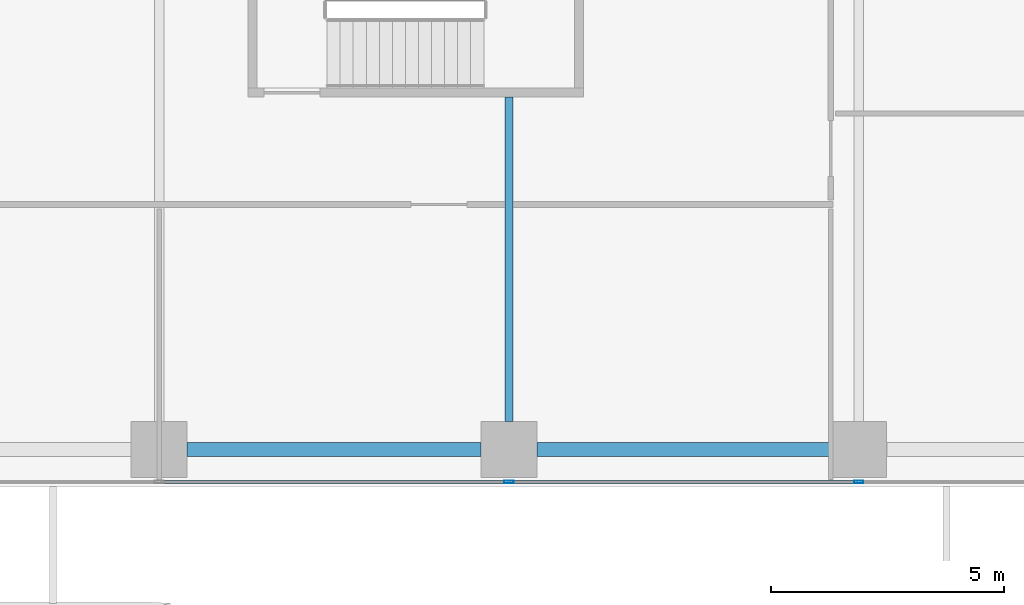
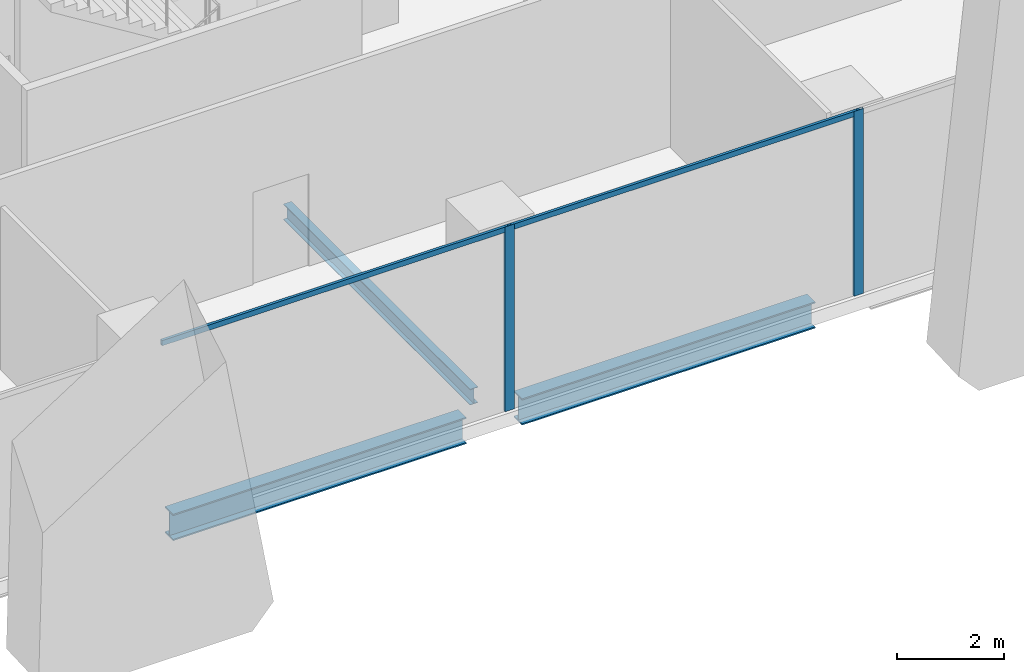
# One storey, part 3 of 35: 4 members, 3 beams, 1 element without a shape of its own.
"""IFC4 building model written with IfcOpenShell, lengths in metres."""

from ifc_helpers import new_model, si_unit, direction, frame, origin, origin_2d, place, context, subcontext, project, spatial, hollow_rectangle, i_section, extrude, source, transform, mapped, material, material_profile, profile_set, type_object, element, aggregate, save


model = new_model("IFC4")

# Units and contexts
model_context = context("Model", 3, precision=1e-05, world=origin(), true_north=direction((0.0, 1.0)))
body_context = subcontext(model_context, "Body", "Model", "MODEL_VIEW")
ifc_project = project(units=[si_unit("LENGTHUNIT", "METRE"), si_unit("AREAUNIT", "SQUARE_METRE"), si_unit("VOLUMEUNIT", "CUBIC_METRE"), si_unit("PLANEANGLEUNIT", "RADIAN"), si_unit("MASSUNIT", "GRAM", prefix="KILO")], contexts=[model_context])

# Site, building, storey
site_placement = place(None, origin())
site = spatial("IfcSite", under=ifc_project, at=site_placement, CompositionType="ELEMENT")
building_placement = place(site_placement, origin())
building = spatial("IfcBuilding", under=site, at=building_placement, Name="Khomas Fold Tower", CompositionType="ELEMENT")
storey_placement = place(building_placement, frame((0.0, 0.0, 69.0)))
storey = spatial("IfcBuildingStorey", under=building, at=storey_placement, Name="L14", CompositionType="ELEMENT", Elevation=69.0)

# Beams
ifc_material_1 = material(Name="Steel S355", Category="steel")
ifc_material_profile_1 = material_profile(ifc_material_1, i_section(OverallWidth=0.169921875, OverallDepth=0.360107421875, WebThickness=0.008056640625, FlangeThickness=0.0126953125, at=origin_2d()), Name="IPE 360")
ifc_profile_set_1 = profile_set([ifc_material_profile_1], Name="Steel S355")
beam_type_1 = type_object("IfcBeamType", Name="IPE 360 beam JB2", PredefinedType="BEAM", material=ifc_profile_set_1)
shared_shape_1 = source(origin(), body_context, "Body", "SweptSolid", [
    extrude(i_section(OverallWidth=0.169921875, OverallDepth=0.360107421875, WebThickness=0.008056640625, FlangeThickness=0.0126953125, at=origin_2d()), origin(), (0.0, 0.0, 1.0), 6.9501953125),
])
beam_placement = place(storey_placement, frame((19.5, 1.39990234375, -0.47998046875), z_axis=(0.0, 1.0, 0.0), x_axis=(-1.0, 0.0, 0.0)))
element("IfcBeam", 1, at=beam_placement, inside=storey, type_object=beam_type_1, Name="JB2", PredefinedType="BEAM", context=body_context, shape_type="MappedRepresentation", body=[
    mapped(shared_shape_1, transform((0.0, 0.0, 0.0))),
])
ifc_material_2 = material(Name="Steel S355", Category="steel")
ifc_material_profile_2 = material_profile(ifc_material_2, i_section(OverallWidth=0.300048828125, OverallDepth=0.60009765625, WebThickness=0.015380859375, FlangeThickness=0.030029296875, at=origin_2d()), Name="HE 600 B")
ifc_profile_set_2 = profile_set([ifc_material_profile_2], Name="Steel S355")
beam_type_2 = type_object("IfcBeamType", Name="HE 600 B spandrel SB1", PredefinedType="SPANDREL", material=ifc_profile_set_2)
shared_shape_2 = source(origin(), body_context, "Body", "SweptSolid", [
    extrude(i_section(OverallWidth=0.300048828125, OverallDepth=0.60009765625, WebThickness=0.015380859375, FlangeThickness=0.030029296875, at=origin_2d()), origin(), (0.0, 0.0, 1.0), 6.2998046875),
])
for number, where, z_axis, x_axis, name in (
    (2, (12.60009765625, 0.800048828125, -0.60009765625), (1.0, 0.0, 0.0), (0.0, 1.0, 0.0), "SB1"),
    (3, (20.10009765625, 0.800048828125, -0.60009765625), (1.0, 0.0, 0.0), (0.0, 1.0, 0.0), "SB1"),
):
    element("IfcBeam", number, at=place(storey_placement, frame(where, z_axis=z_axis, x_axis=x_axis)), inside=storey, type_object=beam_type_2, Name=name, PredefinedType="SPANDREL", context=body_context, shape_type="MappedRepresentation", body=[
        mapped(shared_shape_2, transform((0.0, 0.0, 0.0))),
    ])

# Curtain wall, members
ifc_material_3 = material(Name="Aluminium framed double glazing", Category="aluminium")
curtain_wall_type = type_object("IfcCurtainWallType", Name="SK-Unitised clear-glass wall, growing floors CW1", PredefinedType="NOTDEFINED", material=ifc_material_3)
curtain_wall_placement = place(storey_placement, origin())
curtain_wall = element("IfcCurtainWall", 4, at=curtain_wall_placement, inside=storey, type_object=curtain_wall_type, Name="CW1 run L14 00-0", PredefinedType="NOTDEFINED")
ifc_material_4 = material(Name="Aluminium", Category="aluminium")
ifc_material_profile_3 = material_profile(ifc_material_4, hollow_rectangle(XDim=0.06005859375, YDim=0.1201171875, WallThickness=0.00390625, at=origin_2d()), Name="SK-Unitised clear-glass wall, growing floors transom CW1-T")
ifc_profile_set_3 = profile_set([ifc_material_profile_3], Name="Aluminium")
member_type_1 = type_object("IfcMemberType", Name="SK-Unitised clear-glass wall, growing floors transom CW1-T", PredefinedType="USERDEFINED", material=ifc_profile_set_3)
shared_shape_3 = source(origin(), body_context, "Body", "SweptSolid", [
    extrude(hollow_rectangle(XDim=0.06005859375, YDim=0.1201171875, WallThickness=0.00390625, at=origin_2d()), origin(), (0.0, 0.0, 1.0), 7.43994140625),
])
member_1_placement = place(storey_placement, frame((12.030029296875, 0.10009765625, 4.139892578125), z_axis=(1.0, 0.0, 0.0), x_axis=(0.0, 1.0, 0.0)))
member_1 = element("IfcMember", 5, at=member_1_placement, type_object=member_type_1, Name="CW1 transom 3", ObjectType="TRANSOM", PredefinedType="USERDEFINED", context=body_context, shape_type="MappedRepresentation", body=[
    mapped(shared_shape_3, transform((0.0, 0.0, 0.0))),
])
member_2_placement = place(storey_placement, frame((19.530029296875, 0.10009765625, 4.139892578125), z_axis=(1.0, 0.0, 0.0), x_axis=(0.0, 1.0, 0.0)))
member_2 = element("IfcMember", 6, at=member_2_placement, type_object=member_type_1, Name="CW1 transom 4", ObjectType="TRANSOM", PredefinedType="USERDEFINED", context=body_context, shape_type="MappedRepresentation", body=[
    mapped(shared_shape_3, transform((0.0, 0.0, 0.0))),
])
ifc_material_5 = material(Name="Aluminium", Category="aluminium")
ifc_material_profile_4 = material_profile(ifc_material_5, hollow_rectangle(XDim=0.06005859375, YDim=0.199951171875, WallThickness=0.00390625, at=origin_2d()), Name="SK-Unitised clear-glass wall, growing floors mullion CW1-M")
ifc_profile_set_4 = profile_set([ifc_material_profile_4], Name="Aluminium")
member_type_2 = type_object("IfcMemberType", Name="SK-Unitised clear-glass wall, growing floors mullion CW1-M", PredefinedType="MULLION", material=ifc_profile_set_4)
shared_shape_4 = source(origin(), body_context, "Body", "SweptSolid", [
    extrude(hollow_rectangle(XDim=0.06005859375, YDim=0.199951171875, WallThickness=0.00390625, at=origin_2d()), origin(), (0.0, 0.0, 1.0), 4.199951171875),
])
member_3_placement = place(storey_placement, frame((19.5, 0.10009765625, 0.0), z_axis=(0.0, 0.0, 1.0), x_axis=(0.0, 1.0, 0.0)))
member_3 = element("IfcMember", 7, at=member_3_placement, type_object=member_type_2, Name="CW1 mullion 4", PredefinedType="MULLION", context=body_context, shape_type="MappedRepresentation", body=[
    mapped(shared_shape_4, transform((0.0, 0.0, 0.0))),
])
member_4_placement = place(storey_placement, frame((27.0, 0.10009765625, 0.0), z_axis=(0.0, 0.0, 1.0), x_axis=(0.0, 1.0, 0.0)))
member_4 = element("IfcMember", 8, at=member_4_placement, type_object=member_type_2, Name="CW1 mullion 5", PredefinedType="MULLION", context=body_context, shape_type="MappedRepresentation", body=[
    mapped(shared_shape_4, transform((0.0, 0.0, 0.0))),
])
aggregate(curtain_wall, [member_3, member_4, member_1, member_2])

save(model, "model.ifc")
